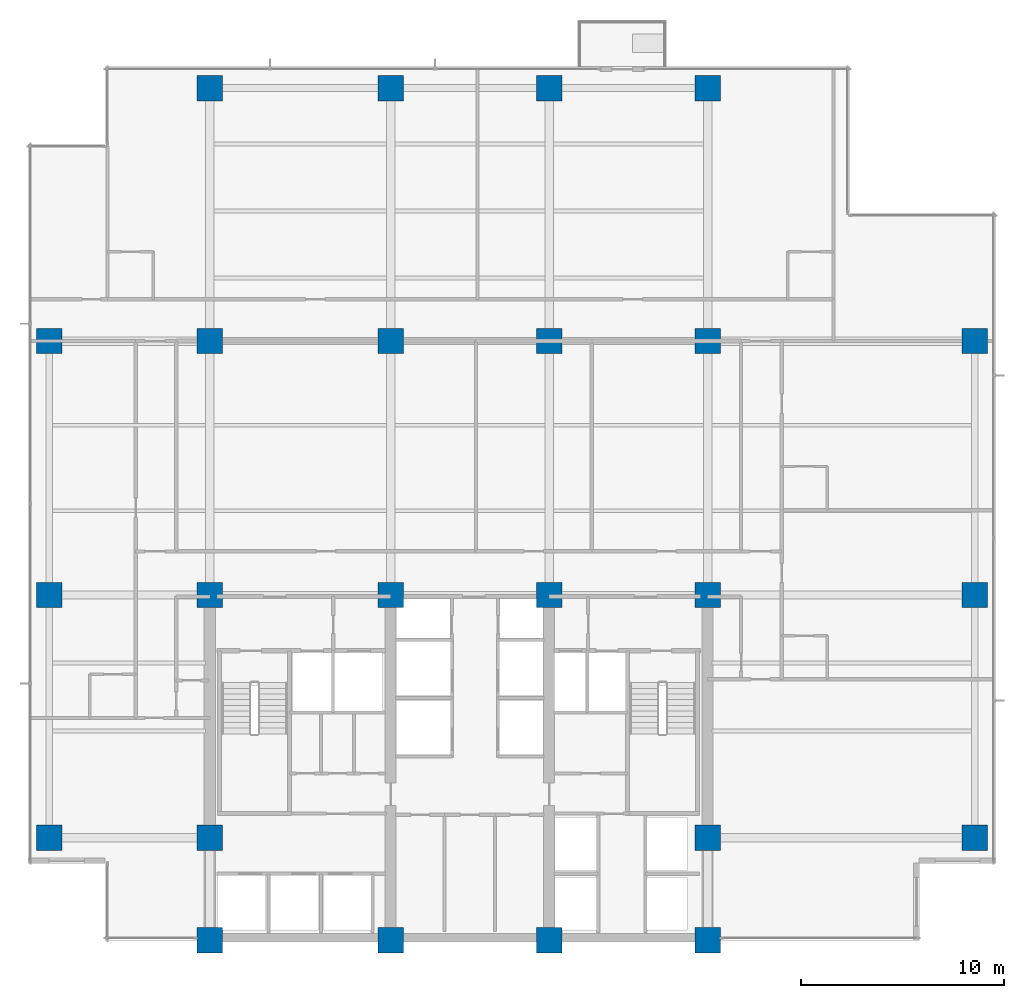
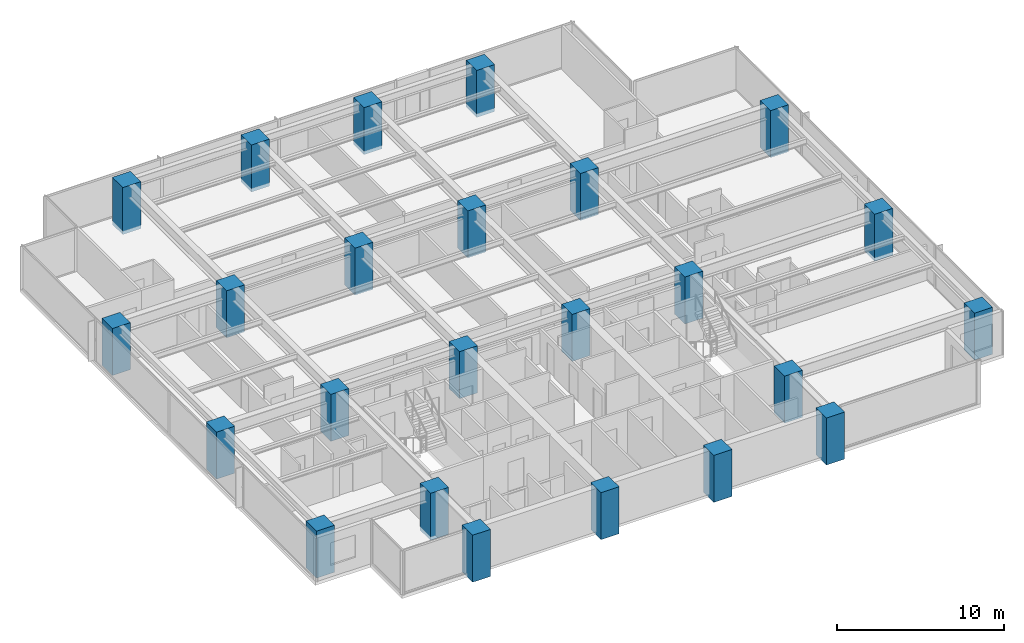
# One storey, part 1 of 16: 24 columns.
"""IFC4 building model written with IfcOpenShell, lengths in metres."""

from ifc_helpers import new_model, si_unit, direction, frame, origin, origin_2d, place, context, subcontext, project, spatial, rectangle, extrude, material, material_profile, profile_set, type_object, element, save


model = new_model("IFC4")

# Units and contexts
model_context = context("Model", 3, precision=1e-05, world=origin(), true_north=direction((0.0, 1.0)))
body_context = subcontext(model_context, "Body", "Model", "MODEL_VIEW")
ifc_project = project(units=[si_unit("LENGTHUNIT", "METRE"), si_unit("AREAUNIT", "SQUARE_METRE"), si_unit("VOLUMEUNIT", "CUBIC_METRE"), si_unit("PLANEANGLEUNIT", "RADIAN"), si_unit("MASSUNIT", "GRAM", prefix="KILO")], contexts=[model_context])

# Site, building, storey
site_placement = place(None, origin())
site = spatial("IfcSite", under=ifc_project, at=site_placement, CompositionType="ELEMENT")
building_placement = place(site_placement, origin())
building = spatial("IfcBuilding", under=site, at=building_placement, Name="Qalmaran Belvedere Hotel", CompositionType="ELEMENT")
storey_placement = place(building_placement, frame((0.0, 0.0, 126.699951171875)))
storey = spatial("IfcBuildingStorey", under=building, at=storey_placement, Name="L32", CompositionType="ELEMENT", Elevation=126.699951171875)

# Columns
ifc_material = material(Name="Concrete C60/75", Category="concrete")
ifc_material_profile = material_profile(ifc_material, rectangle(XDim=1.25, YDim=1.25, at=origin_2d()), Name="CC1250X1250")
ifc_profile_set = profile_set([ifc_material_profile], Name="Concrete C60/75")
column_type = type_object("IfcColumnType", Name="COL-Z2-CC1250", PredefinedType="COLUMN", material=ifc_profile_set)
for number, where, z_axis, x_axis, name in (
    (1, (20.300048828125, 3.5, -0.260009765625), (0.0, 0.0, 1.0), (1.0, 0.0, 0.0), "L32 Column C4B"),
    (2, (29.199951171875, 3.5, -0.260009765625), (0.0, 0.0, 1.0), (1.0, 0.0, 0.0), "L32 Column C5B"),
    (3, (37.0, 3.5, -0.260009765625), (0.0, 0.0, 1.0), (1.0, 0.0, 0.0), "L32 Column C6B"),
    (4, (44.800048828125, 3.5, -0.260009765625), (0.0, 0.0, 1.0), (1.0, 0.0, 0.0), "L32 Column C7B"),
    (5, (20.300048828125, 8.550048828125, -0.260009765625), (0.0, 0.0, 1.0), (1.0, 0.0, 0.0), "L32 Column C4C"),
    (6, (44.800048828125, 8.550048828125, -0.260009765625), (0.0, 0.0, 1.0), (1.0, 0.0, 0.0), "L32 Column C7C"),
    (7, (20.300048828125, 20.5, -0.260009765625), (0.0, 0.0, 1.0), (1.0, 0.0, 0.0), "L32 Column C4D"),
    (8, (29.199951171875, 20.5, -0.260009765625), (0.0, 0.0, 1.0), (1.0, 0.0, 0.0), "L32 Column C5D"),
    (9, (37.0, 20.5, -0.260009765625), (0.0, 0.0, 1.0), (1.0, 0.0, 0.0), "L32 Column C6D"),
    (10, (44.800048828125, 20.5, -0.260009765625), (0.0, 0.0, 1.0), (1.0, 0.0, 0.0), "L32 Column C7D"),
    (11, (20.300048828125, 33.0, -0.260009765625), (0.0, 0.0, 1.0), (1.0, 0.0, 0.0), "L32 Column C4F"),
    (12, (29.199951171875, 33.0, -0.260009765625), (0.0, 0.0, 1.0), (1.0, 0.0, 0.0), "L32 Column C5F"),
    (13, (37.0, 33.0, -0.260009765625), (0.0, 0.0, 1.0), (1.0, 0.0, 0.0), "L32 Column C6F"),
    (14, (44.800048828125, 33.0, -0.260009765625), (0.0, 0.0, 1.0), (1.0, 0.0, 0.0), "L32 Column C7F"),
    (15, (12.39990234375, 8.550048828125, -0.260009765625), (0.0, 0.0, 1.0), (1.0, 0.0, 0.0), "L32 Column CW1"),
    (16, (12.39990234375, 20.5, -0.260009765625), (0.0, 0.0, 1.0), (1.0, 0.0, 0.0), "L32 Column CW3"),
    (17, (12.39990234375, 33.0, -0.260009765625), (0.0, 0.0, 1.0), (1.0, 0.0, 0.0), "L32 Column CW4"),
    (18, (57.949951171875, 8.550048828125, -0.260009765625), (0.0, 0.0, 1.0), (1.0, 0.0, 0.0), "L32 Column CE1"),
    (19, (57.949951171875, 20.5, -0.260009765625), (0.0, 0.0, 1.0), (1.0, 0.0, 0.0), "L32 Column CE3"),
    (20, (57.949951171875, 33.0, -0.260009765625), (0.0, 0.0, 1.0), (1.0, 0.0, 0.0), "L32 Column CE4"),
    (21, (20.300048828125, 45.449951171875, -0.260009765625), (0.0, 0.0, 1.0), (1.0, 0.0, 0.0), "L32 Column CN1"),
    (22, (29.199951171875, 45.449951171875, -0.260009765625), (0.0, 0.0, 1.0), (1.0, 0.0, 0.0), "L32 Column CN2"),
    (23, (37.0, 45.449951171875, -0.260009765625), (0.0, 0.0, 1.0), (1.0, 0.0, 0.0), "L32 Column CN3"),
    (24, (44.800048828125, 45.449951171875, -0.260009765625), (0.0, 0.0, 1.0), (1.0, 0.0, 0.0), "L32 Column CN4"),
):
    element("IfcColumn", number, at=place(storey_placement, frame(where, z_axis=z_axis, x_axis=x_axis)), inside=storey, type_object=column_type, Name=name, PredefinedType="COLUMN", context=body_context, shape_type="SweptSolid", body=[
        extrude(rectangle(XDim=1.25, YDim=1.25, at=origin_2d()), origin(), (0.0, 0.0, 1.0), 3.43994140625),
    ])

save(model, "model.ifc")
